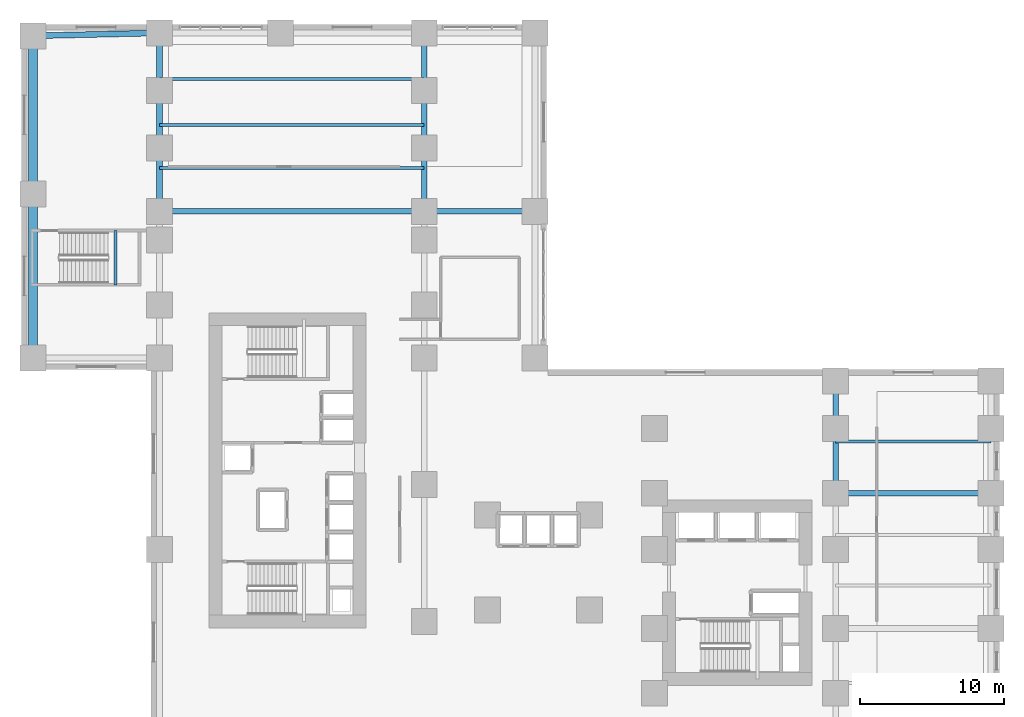
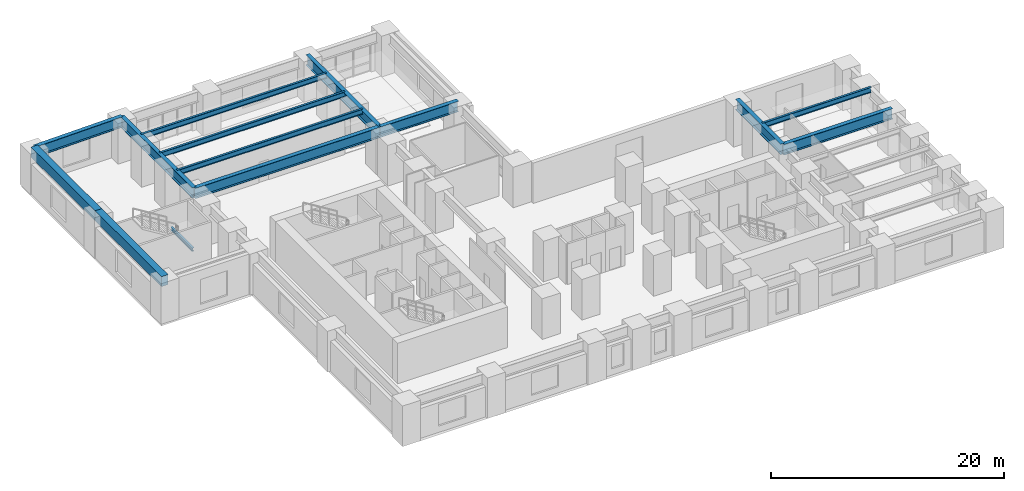
# One storey, part 3 of 13: 14 beams.
"""IFC4 building model written with IfcOpenShell, lengths in metres."""

from ifc_helpers import new_model, si_unit, direction, frame, origin, origin_2d, place, context, subcontext, project, spatial, rectangle, i_section, extrude, source, transform, mapped, material, material_profile, profile_set, type_object, element, save


model = new_model("IFC4")

# Units and contexts
model_context = context("Model", 3, precision=1e-05, world=origin(), true_north=direction((0.0, 1.0)))
body_context = subcontext(model_context, "Body", "Model", "MODEL_VIEW")
ifc_project = project(units=[si_unit("LENGTHUNIT", "METRE"), si_unit("AREAUNIT", "SQUARE_METRE"), si_unit("VOLUMEUNIT", "CUBIC_METRE"), si_unit("PLANEANGLEUNIT", "RADIAN"), si_unit("MASSUNIT", "GRAM", prefix="KILO")], contexts=[model_context])

# Site, building, storey
site_placement = place(None, origin())
site = spatial("IfcSite", under=ifc_project, at=site_placement, CompositionType="ELEMENT")
building_placement = place(site_placement, origin())
building = spatial("IfcBuilding", under=site, at=building_placement, Name="Kharzan Plaza Tower", CompositionType="ELEMENT")
storey_placement = place(building_placement, frame((0.0, 0.0, 4.5)))
storey = spatial("IfcBuildingStorey", under=building, at=storey_placement, Name="L01", CompositionType="ELEMENT", Elevation=4.5)

# Beams
ifc_material_1 = material(Name="Steel S355", Category="steel")
ifc_material_profile_1 = material_profile(ifc_material_1, i_section(OverallWidth=0.214111328125, OverallDepth=0.549072265625, WebThickness=0.0146484375, FlangeThickness=0.023681640625, at=origin_2d()), Name="W530x138")
ifc_profile_set_1 = profile_set([ifc_material_profile_1], Name="Steel S355")
beam_type_1 = type_object("IfcBeamType", Name="BM-JST530A", PredefinedType="JOIST", material=ifc_profile_set_1)
shared_shape_1 = source(origin(), body_context, "Body", "SweptSolid", [
    extrude(i_section(OverallWidth=0.214111328125, OverallDepth=0.549072265625, WebThickness=0.0146484375, FlangeThickness=0.023681640625, at=origin_2d()), origin(), (0.0, 0.0, 1.0), 18.39990234375),
])
for number, where, z_axis, x_axis, name in (
    (1, (0.60009765625, 40.0, 3.9755859375), (1.0, 0.0, 0.0), (0.0, 1.0, 0.0), "L01 Auditorium Joist PJ-1"),
    (2, (0.60009765625, 43.0, 3.9755859375), (1.0, 0.0, 0.0), (0.0, 1.0, 0.0), "L01 Auditorium Joist PJ-2"),
    (3, (0.60009765625, 46.199951171875, 3.9755859375), (1.0, 0.0, 0.0), (0.0, 1.0, 0.0), "L01 Auditorium Joist PJ-3"),
):
    element("IfcBeam", number, at=place(storey_placement, frame(where, z_axis=z_axis, x_axis=x_axis)), inside=storey, type_object=beam_type_1, Name=name, PredefinedType="JOIST", context=body_context, shape_type="MappedRepresentation", body=[
        mapped(shared_shape_1, transform((0.0, 0.0, 0.0), x_axis=(1.0, 0.0, 0.0), y_axis=(0.0, 1.0, 0.0), z_axis=(0.0, 0.0, 1.0))),
    ])
shared_shape_2 = source(origin(), body_context, "Body", "SweptSolid", [
    extrude(i_section(OverallWidth=0.214111328125, OverallDepth=0.549072265625, WebThickness=0.0146484375, FlangeThickness=0.023681640625, at=origin_2d()), origin(), (0.0, 0.0, 1.0), 10.7998046875),
])
beam_1_placement = place(storey_placement, frame((47.60009765625, 21.0, 3.9755859375), z_axis=(1.0, 0.0, 0.0), x_axis=(0.0, 1.0, 0.0)))
element("IfcBeam", 4, at=beam_1_placement, inside=storey, type_object=beam_type_1, Name="L01 East Podium Joist PJ-B4", PredefinedType="JOIST", context=body_context, shape_type="MappedRepresentation", body=[
    mapped(shared_shape_2, transform((0.0, 0.0, 0.0), x_axis=(1.0, 0.0, 0.0), y_axis=(0.0, 1.0, 0.0), z_axis=(0.0, 0.0, 1.0))),
])
ifc_material_profile_2 = material_profile(ifc_material_1, i_section(OverallWidth=0.39990234375, OverallDepth=1.10009765625, WebThickness=0.02001953125, FlangeThickness=0.035888671875, at=origin_2d()), Name="W1100x390")
ifc_profile_set_2 = profile_set([ifc_material_profile_2], Name="Steel S355")
beam_type_2 = type_object("IfcBeamType", Name="BM-PG1100B", PredefinedType="BEAM", material=ifc_profile_set_2)
shared_shape_3 = source(origin(), body_context, "Body", "SweptSolid", [
    extrude(i_section(OverallWidth=0.39990234375, OverallDepth=1.10009765625, WebThickness=0.02001953125, FlangeThickness=0.035888671875, at=origin_2d()), origin(), (0.0, 0.0, 1.0), 7.699951171875),
])
beam_2_placement = place(storey_placement, frame((19.0, 37.0, 3.699951171875), z_axis=(1.0, 0.0, 0.0), x_axis=(0.0, 1.0, 0.0)))
element("IfcBeam", 5, at=beam_2_placement, inside=storey, type_object=beam_type_2, Name="L01 Podium Primary Girder PG-13", PredefinedType="BEAM", context=body_context, shape_type="MappedRepresentation", body=[
    mapped(shared_shape_3, transform((0.0, 0.0, 0.0), x_axis=(1.0, 0.0, 0.0), y_axis=(0.0, 1.0, 0.0), z_axis=(0.0, 0.0, 1.0))),
])
shared_shape_4 = source(origin(), body_context, "Body", "SweptSolid", [
    extrude(i_section(OverallWidth=0.39990234375, OverallDepth=1.10009765625, WebThickness=0.02001953125, FlangeThickness=0.035888671875, at=origin_2d()), origin(), (0.0, 0.0, 1.0), 18.39990234375),
])
beam_3_placement = place(storey_placement, frame((0.60009765625, 37.0, 3.699951171875), z_axis=(1.0, 0.0, 0.0), x_axis=(0.0, 1.0, 0.0)))
element("IfcBeam", 6, at=beam_3_placement, inside=storey, type_object=beam_type_2, Name="L01 Podium Primary Girder PG-12", PredefinedType="BEAM", context=body_context, shape_type="MappedRepresentation", body=[
    mapped(shared_shape_4, transform((0.0, 0.0, 0.0), x_axis=(1.0, 0.0, 0.0), y_axis=(0.0, 1.0, 0.0), z_axis=(0.0, 0.0, 1.0))),
])
shared_shape_5 = source(origin(), body_context, "Body", "SweptSolid", [
    extrude(i_section(OverallWidth=0.39990234375, OverallDepth=1.10009765625, WebThickness=0.02001953125, FlangeThickness=0.035888671875, at=origin_2d()), origin(), (0.0, 0.0, 1.0), 12.39990234375),
])
for number, where, z_axis, x_axis, name in (
    (7, (0.60009765625, 37.0, 3.699951171875), (0.0, 1.0, 0.0), (-1.0, 0.0, 0.0), "L01 Podium Primary Girder PG-17"),
    (8, (19.0, 37.0, 3.699951171875), (0.0, 1.0, 0.0), (-1.0, 0.0, 0.0), "L01 Podium Primary Girder PG-21"),
):
    element("IfcBeam", number, at=place(storey_placement, frame(where, z_axis=z_axis, x_axis=x_axis)), inside=storey, type_object=beam_type_2, Name=name, PredefinedType="BEAM", context=body_context, shape_type="MappedRepresentation", body=[
        mapped(shared_shape_5, transform((0.0, 0.0, 0.0), x_axis=(1.0, 0.0, 0.0), y_axis=(0.0, 1.0, 0.0), z_axis=(0.0, 0.0, 1.0))),
    ])
shared_shape_6 = source(origin(), body_context, "Body", "SweptSolid", [
    extrude(i_section(OverallWidth=0.39990234375, OverallDepth=1.10009765625, WebThickness=0.02001953125, FlangeThickness=0.035888671875, at=origin_2d()), origin(), (0.0, 0.0, 1.0), 7.800048828125),
])
beam_4_placement = place(storey_placement, frame((47.60009765625, 17.39990234375, 3.699951171875), z_axis=(0.0, 1.0, 0.0), x_axis=(-1.0, 0.0, 0.0)))
element("IfcBeam", 9, at=beam_4_placement, inside=storey, type_object=beam_type_2, Name="L01 Podium Primary Girder PG-24", PredefinedType="BEAM", context=body_context, shape_type="MappedRepresentation", body=[
    mapped(shared_shape_6, transform((0.0, 0.0, 0.0), x_axis=(1.0, 0.0, 0.0), y_axis=(0.0, 1.0, 0.0), z_axis=(0.0, 0.0, 1.0))),
])
shared_shape_7 = source(origin(), body_context, "Body", "SweptSolid", [
    extrude(i_section(OverallWidth=0.39990234375, OverallDepth=1.10009765625, WebThickness=0.02001953125, FlangeThickness=0.035888671875, at=origin_2d()), origin(), (0.0, 0.0, 1.0), 10.7998046875),
])
beam_5_placement = place(storey_placement, frame((47.60009765625, 17.39990234375, 3.699951171875), z_axis=(1.0, 0.0, 0.0), x_axis=(0.0, 1.0, 0.0)))
element("IfcBeam", 10, at=beam_5_placement, inside=storey, type_object=beam_type_2, Name="L01 Podium Primary Girder PG-29", PredefinedType="BEAM", context=body_context, shape_type="MappedRepresentation", body=[
    mapped(shared_shape_7, transform((0.0, 0.0, 0.0), x_axis=(1.0, 0.0, 0.0), y_axis=(0.0, 1.0, 0.0), z_axis=(0.0, 0.0, 1.0))),
])
shared_shape_8 = source(origin(), body_context, "Body", "SweptSolid", [
    extrude(i_section(OverallWidth=0.39990234375, OverallDepth=1.10009765625, WebThickness=0.02001953125, FlangeThickness=0.035888671875, at=origin_2d()), origin(), (0.0, 0.0, 1.0), 8.80224609375),
])
beam_6_placement = place(storey_placement, frame((-8.199951171875, 49.199951171875, 3.699951171875), z_axis=(0.9997419644, 0.022715735021, 0.0), x_axis=(-0.022715735021, 0.9997419644, 0.0)))
element("IfcBeam", 11, at=beam_6_placement, inside=storey, type_object=beam_type_2, Name="L01 Podium Primary Girder PG-8", PredefinedType="BEAM", context=body_context, shape_type="MappedRepresentation", body=[
    mapped(shared_shape_8, transform((0.0, 0.0, 0.0), x_axis=(1.0, 0.0, 0.0), y_axis=(0.0, 1.0, 0.0), z_axis=(0.0, 0.0, 1.0))),
])
ifc_material_profile_3 = material_profile(ifc_material_1, i_section(OverallWidth=0.205078125, OverallDepth=0.35400390625, WebThickness=0.009521484375, FlangeThickness=0.016845703125, at=origin_2d()), Name="W360x79")
ifc_profile_set_3 = profile_set([ifc_material_profile_3], Name="Steel S355")
beam_type_3 = type_object("IfcBeamType", Name="BM-LNT360", PredefinedType="LINTEL", material=ifc_profile_set_3)
shared_shape_9 = source(origin(), body_context, "Body", "SweptSolid", [
    extrude(i_section(OverallWidth=0.205078125, OverallDepth=0.35400390625, WebThickness=0.009521484375, FlangeThickness=0.016845703125, at=origin_2d()), origin(), (0.0, 0.0, 1.0), 3.760009765625),
])
beam_7_placement = place(storey_placement, frame((-2.449951171875, 31.89501953125, 1.873046875), z_axis=(0.0, 1.0, 0.0), x_axis=(-1.0, 0.0, 0.0)))
element("IfcBeam", 12, at=beam_7_placement, inside=storey, type_object=beam_type_3, Name="L01 Stair ST-4 Half-Landing Beam", PredefinedType="LINTEL", context=body_context, shape_type="MappedRepresentation", body=[
    mapped(shared_shape_9, transform((0.0, 0.0, 0.0), x_axis=(1.0, 0.0, 0.0), y_axis=(0.0, 1.0, 0.0), z_axis=(0.0, 0.0, 1.0))),
])
ifc_material_2 = material(Name="Concrete C60/75", Category="concrete")
ifc_material_profile_4 = material_profile(ifc_material_2, rectangle(XDim=0.64990234375, YDim=1.050048828125, at=origin_2d()), Name="RC-SP1050x650")
ifc_profile_set_4 = profile_set([ifc_material_profile_4], Name="Concrete C60/75")
beam_type_4 = type_object("IfcBeamType", Name="BM-RCSP1050", PredefinedType="SPANDREL", material=ifc_profile_set_4)
shared_shape_10 = source(origin(), body_context, "Body", "SweptSolid", [
    extrude(rectangle(XDim=0.64990234375, YDim=1.050048828125, at=origin_2d()), origin(), (0.0, 0.0, 1.0), 11.39990234375),
])
beam_8_placement = place(storey_placement, frame((-8.199951171875, 26.800048828125, 3.72509765625), z_axis=(0.0, 1.0, 0.0), x_axis=(-1.0, 0.0, 0.0)))
element("IfcBeam", 13, at=beam_8_placement, inside=storey, type_object=beam_type_4, Name="L01 Podium RC Spandrel Beam W1", PredefinedType="SPANDREL", context=body_context, shape_type="MappedRepresentation", body=[
    mapped(shared_shape_10, transform((0.0, 0.0, 0.0), x_axis=(1.0, 0.0, 0.0), y_axis=(0.0, 1.0, 0.0), z_axis=(0.0, 0.0, 1.0))),
])
shared_shape_11 = source(origin(), body_context, "Body", "SweptSolid", [
    extrude(rectangle(XDim=0.64990234375, YDim=1.050048828125, at=origin_2d()), origin(), (0.0, 0.0, 1.0), 11.0),
])
beam_9_placement = place(storey_placement, frame((-8.199951171875, 38.199951171875, 3.72509765625), z_axis=(0.0, 1.0, 0.0), x_axis=(-1.0, 0.0, 0.0)))
element("IfcBeam", 14, at=beam_9_placement, inside=storey, type_object=beam_type_4, Name="L01 Podium RC Spandrel Beam W2", PredefinedType="SPANDREL", context=body_context, shape_type="MappedRepresentation", body=[
    mapped(shared_shape_11, transform((0.0, 0.0, 0.0), x_axis=(1.0, 0.0, 0.0), y_axis=(0.0, 1.0, 0.0), z_axis=(0.0, 0.0, 1.0))),
])

save(model, "model.ifc")
